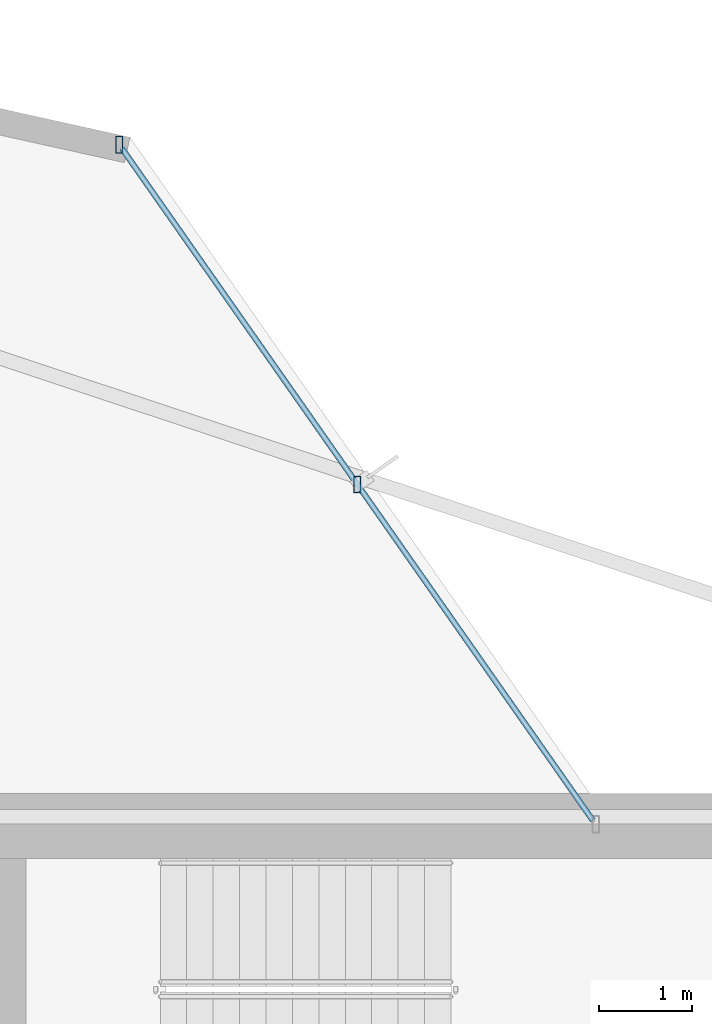
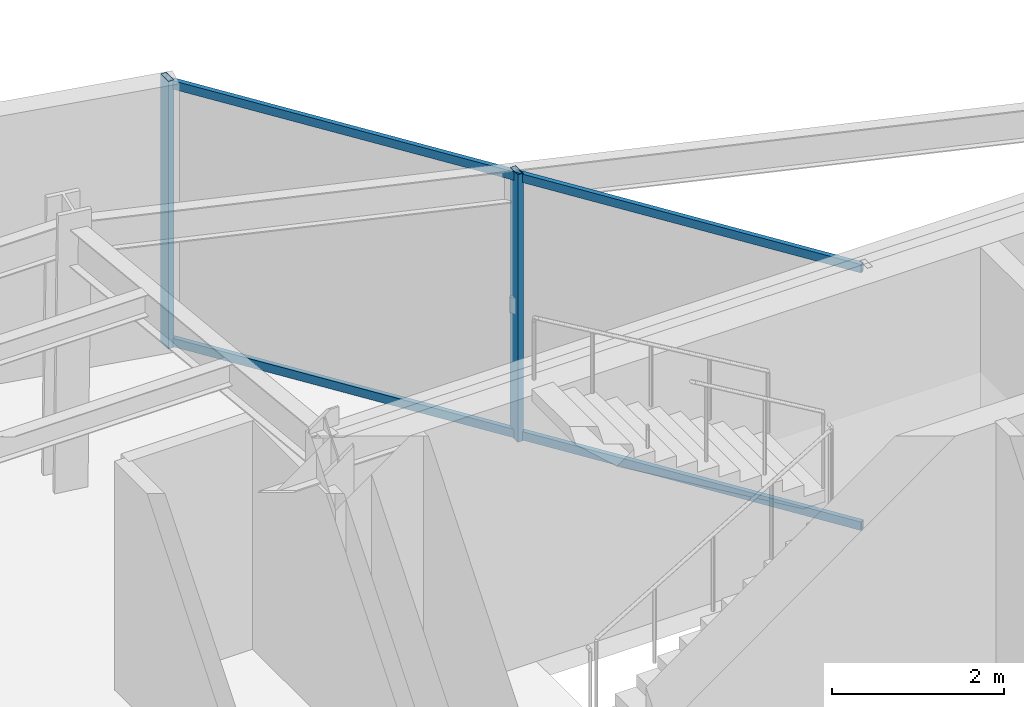
# One storey, part 13 of 23: 4 members, 1 element without a shape of its own.
"""IFC4 building model written with IfcOpenShell, lengths in metres."""

from ifc_helpers import new_model, si_unit, direction, frame, origin, origin_2d, place, context, subcontext, project, spatial, hollow_rectangle, extrude, material, layer, layer_set, material_profile, profile_set, type_object, element, aggregate, save


model = new_model("IFC4")

# Units and contexts
model_context = context("Model", 3, precision=1e-05, world=origin(), true_north=direction((0.0, 1.0)))
body_context = subcontext(model_context, "Body", "Model", "MODEL_VIEW")
ifc_project = project(units=[si_unit("LENGTHUNIT", "METRE"), si_unit("AREAUNIT", "SQUARE_METRE"), si_unit("VOLUMEUNIT", "CUBIC_METRE"), si_unit("PLANEANGLEUNIT", "RADIAN"), si_unit("MASSUNIT", "GRAM", prefix="KILO")], contexts=[model_context])

# Site, building, storey
site_placement = place(None, origin())
site = spatial("IfcSite", under=ifc_project, at=site_placement, CompositionType="ELEMENT")
building_placement = place(site_placement, origin())
building = spatial("IfcBuilding", under=site, at=building_placement, Name="Veymaron Broadcast Tower", CompositionType="ELEMENT")
storey_placement = place(building_placement, frame((0.0, 0.0, 224.25)))
storey = spatial("IfcBuildingStorey", under=building, at=storey_placement, Name="L52", CompositionType="ELEMENT", Elevation=224.25)

# Curtain wall, members
ifc_material_1 = material(Name="Anodised aluminium AA 6063-T6 and laminated low-E dark glass", Category="aluminium")
ifc_layer = layer(ifc_material_1, 0.179931640625)
ifc_layer_set = layer_set([ifc_layer], Name="Anodised aluminium AA 6063-T6 and laminated low-E dark glass")
curtain_wall_type = type_object("IfcCurtainWallType", Name="CW-SYS-05", PredefinedType="NOTDEFINED", material=ifc_layer_set)
curtain_wall_placement = place(storey_placement, origin())
curtain_wall = element("IfcCurtainWall", 1, at=curtain_wall_placement, inside=storey, type_object=curtain_wall_type, Name="L52 dark-glass curtain wall CW-L52-E5-1", PredefinedType="NOTDEFINED")
ifc_material_2 = material(Name="Anodised aluminium AA 6063-T6", Category="aluminium")
ifc_material_profile_1 = material_profile(ifc_material_2, hollow_rectangle(XDim=0.074951171875, YDim=0.179931640625, WallThickness=0.0048828125, at=origin_2d()), Name="AL180X75X5")
ifc_profile_set_1 = profile_set([ifc_material_profile_1], Name="Anodised aluminium AA 6063-T6")
member_type_1 = type_object("IfcMemberType", Name="CW-MUL-02", PredefinedType="MULLION", material=ifc_profile_set_1)
member_1_placement = place(storey_placement, frame((43.55615234375, 35.584716796875, 0.0), z_axis=(0.0, 0.0, 1.0), x_axis=(1.0, 0.0, 0.0)))
member_1 = element("IfcMember", 2, at=member_1_placement, type_object=member_type_1, Name="CW-L52-E5-1 mullion 1", PredefinedType="MULLION", context=body_context, shape_type="SweptSolid", body=[
    extrude(hollow_rectangle(XDim=0.074951171875, YDim=0.179931640625, WallThickness=0.0048828125, at=origin_2d()), origin(), (0.0, 0.0, 1.0), 3.7900390625),
])
member_2_placement = place(storey_placement, frame((40.98779296875, 39.249755859375, 0.0), z_axis=(0.0, 0.0, 1.0), x_axis=(1.0, 0.0, 0.0)))
member_2 = element("IfcMember", 3, at=member_2_placement, type_object=member_type_1, Name="CW-L52-E5-1 mullion 2", PredefinedType="MULLION", context=body_context, shape_type="SweptSolid", body=[
    extrude(hollow_rectangle(XDim=0.074951171875, YDim=0.179931640625, WallThickness=0.0048828125, at=origin_2d()), origin(), (0.0, 0.0, 1.0), 3.7900390625),
])
ifc_material_profile_2 = material_profile(ifc_material_2, hollow_rectangle(XDim=0.06005859375, YDim=0.1201171875, WallThickness=0.00390625, at=origin_2d()), Name="AL120X60X4")
ifc_profile_set_2 = profile_set([ifc_material_profile_2], Name="Anodised aluminium AA 6063-T6")
member_type_2 = type_object("IfcMemberType", Name="CW-TRN-02", PredefinedType="USERDEFINED", material=ifc_profile_set_2)
member_3_placement = place(storey_placement, frame((46.095947265625, 31.960693359375, 0.070068359375), z_axis=(-0.573913969327, 0.81891559749, 0.0), x_axis=(-0.81891559749, -0.573913969327, 0.0)))
member_3 = element("IfcMember", 4, at=member_3_placement, type_object=member_type_2, Name="CW-L52-E5-1 transom B", ObjectType="TRANSOM", PredefinedType="USERDEFINED", context=body_context, shape_type="SweptSolid", body=[
    extrude(hollow_rectangle(XDim=0.06005859375, YDim=0.1201171875, WallThickness=0.00390625, at=origin_2d()), origin(), (0.0, 0.0, 1.0), 8.850830078125),
])
member_4_placement = place(storey_placement, frame((46.095947265625, 31.960693359375, 3.719970703125), z_axis=(-0.573913969327, 0.81891559749, 0.0), x_axis=(-0.81891559749, -0.573913969327, 0.0)))
member_4 = element("IfcMember", 5, at=member_4_placement, type_object=member_type_2, Name="CW-L52-E5-1 transom T", ObjectType="TRANSOM", PredefinedType="USERDEFINED", context=body_context, shape_type="SweptSolid", body=[
    extrude(hollow_rectangle(XDim=0.06005859375, YDim=0.1201171875, WallThickness=0.00390625, at=origin_2d()), origin(), (0.0, 0.0, 1.0), 8.850830078125),
])
aggregate(curtain_wall, [member_1, member_2, member_3, member_4])

save(model, "model.ifc")
